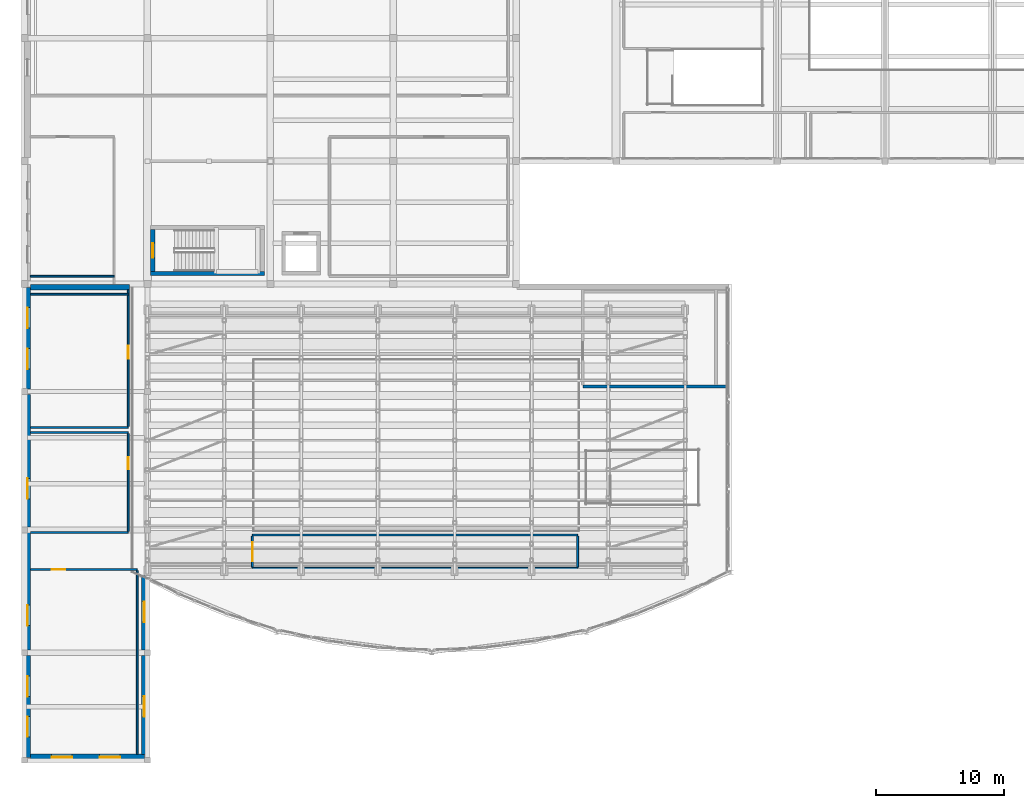
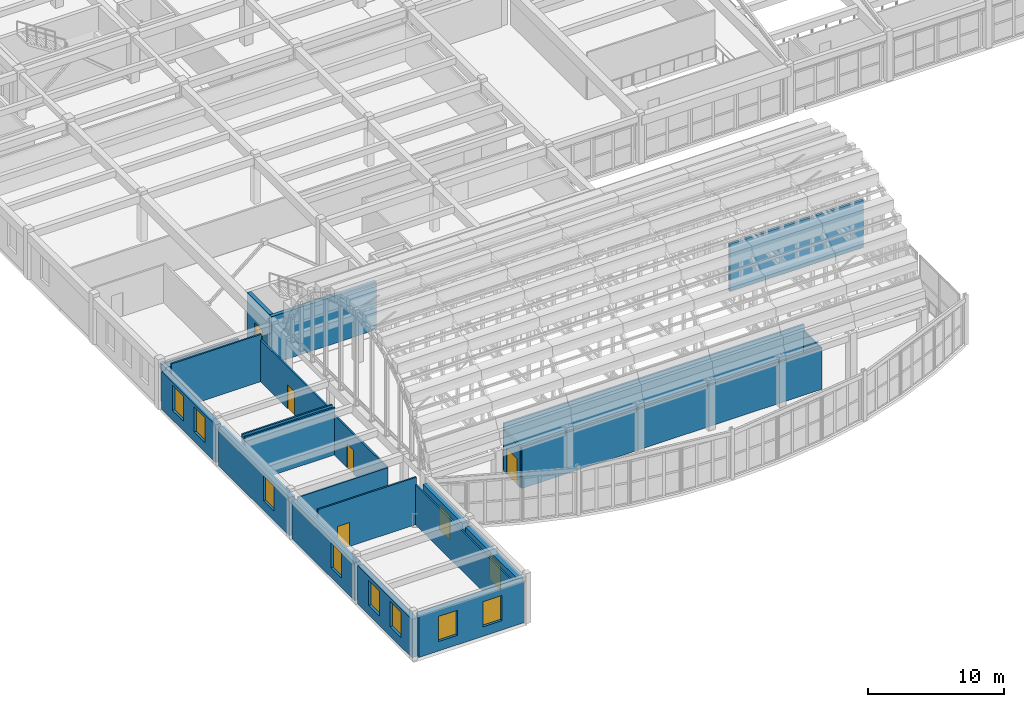
# One storey, part 64 of 91: 24 walls, 10 windows, 5 doors, 15 openings.
"""IFC4 building model written with IfcOpenShell, lengths in metres."""

from ifc_helpers import new_model, si_unit, direction, frame, frame_2d, origin, place, context, subcontext, project, spatial, rectangle, extrude, material, layer, layer_set, type_object, element, fill, save


model = new_model("IFC4")

# Units and contexts
model_context = context("Model", 3, precision=1e-05, world=origin(), true_north=direction((0.0, 1.0)))
body_context = subcontext(model_context, "Body", "Model", "MODEL_VIEW")
ifc_project = project(units=[si_unit("LENGTHUNIT", "METRE"), si_unit("AREAUNIT", "SQUARE_METRE"), si_unit("VOLUMEUNIT", "CUBIC_METRE"), si_unit("PLANEANGLEUNIT", "RADIAN"), si_unit("MASSUNIT", "GRAM", prefix="KILO")], contexts=[model_context])

# Site, building, storey
site_placement = place(None, origin())
site = spatial("IfcSite", under=ifc_project, at=site_placement, CompositionType="ELEMENT")
building_placement = place(site_placement, origin())
building = spatial("IfcBuilding", under=site, at=building_placement, Name="Tarnavel Promenade Courthouse", CompositionType="ELEMENT")
storey_placement = place(building_placement, frame((0.0, 0.0, 9.89990234375)))
storey = spatial("IfcBuildingStorey", under=building, at=storey_placement, Name="L03", CompositionType="ELEMENT", Elevation=9.89990234375)

# Walls
ifc_material_1 = material(Name="Acoustic Insulated Gypsum Stud Partition", Category="gypsum")
ifc_layer_1 = layer(ifc_material_1, 0.14990234375)
ifc_layer_set_1 = layer_set([ifc_layer_1], Name="Acoustic Insulated Gypsum Stud Partition")
wall_type_1 = type_object("IfcWallType", Name="Acoustic Insulated Gypsum Stud Partition WL-LIB-150 (150 mm)", PredefinedType="PARTITIONING", material=ifc_layer_set_1)
wall_1_placement = place(storey_placement, frame((17.800048828125, 17.60009765625, 0.0), z_axis=(0.0, 0.0, 1.0), x_axis=(1.0, 0.0, 0.0)))
element("IfcWall", 1, at=wall_1_placement, inside=storey, type_object=wall_type_1, Name="L03 Upper Balcony Promenade Lookout Reading Gallery Partition 0466", PredefinedType="PARTITIONING", context=body_context, shape_type="SweptSolid", body=[
    extrude(rectangle(XDim=25.39990234375, YDim=0.14990234375, at=frame_2d((12.699951171875, 0.0))), origin(), (0.0, 0.0, 1.0), 4.235107421875),
])
wall_2_placement = place(storey_placement, frame((43.199951171875, 15.0, 0.0), z_axis=(0.0, 0.0, 1.0), x_axis=(-1.0, 0.0, 0.0)))
element("IfcWall", 2, at=wall_2_placement, inside=storey, type_object=wall_type_1, Name="L03 Upper Balcony Promenade Lookout Reading Gallery Partition 0467", PredefinedType="PARTITIONING", context=body_context, shape_type="SweptSolid", body=[
    extrude(rectangle(XDim=25.39990234375, YDim=0.14990234375, at=frame_2d((12.699951171875, 0.0))), origin(), (0.0, 0.0, 1.0), 3.68017578125),
])

# Wall, opening, door
wall_3_placement = place(storey_placement, frame((17.800048828125, 15.0849609375, 0.0), z_axis=(0.0, 0.0, 1.0), x_axis=(0.0, 1.0, 0.0)))
wall_3 = element("IfcWall", 3, at=wall_3_placement, inside=storey, type_object=wall_type_1, Name="L03 Upper Balcony Promenade Lookout Reading Gallery Partition 0468", PredefinedType="PARTITIONING", context=body_context, shape_type="SweptSolid", body=[
    extrude(rectangle(XDim=2.429931640625, YDim=0.14990234375, at=frame_2d((1.21484375, 0.0))), origin(), (0.0, 0.0, 1.0), 3.68017578125),
])
opening_1_placement = place(wall_3_placement, frame((0.465087890625, 0.0, 0.0)))
opening_1 = element("IfcOpeningElement", 4, at=opening_1_placement, cuts=wall_3, Name="Opening ID-05", PredefinedType="OPENING", context=body_context, shape_type="SweptSolid", body=[
    extrude(rectangle(XDim=1.5, YDim=2.35009765625, at=frame_2d((0.75, 1.175048828125))), frame((0.0, 0.0849609375, 0.0), z_axis=(0.0, -1.0, 0.0), x_axis=(1.0, 0.0, 0.0)), (0.0, 0.0, 1.0), 0.169921875),
])
ifc_material_2 = material(Name="Glazed Oak Law Library Double Door")
door_type_1 = type_object("IfcDoorType", Name="Glazed Oak Law Library Double Door (DR-LIB-1500x2350)", OperationType="NOTDEFINED", PredefinedType="DOOR", material=ifc_material_2)
door_1_placement = place(opening_1_placement, origin())
door_1 = element("IfcDoor", 5, at=door_1_placement, inside=storey, type_object=door_type_1, Name="L03 Upper Balcony Promenade Lookout Reading Gallery Door 0133", OperationType="DOUBLE_DOOR_SINGLE_SWING", OverallHeight=2.35009765625, OverallWidth=1.5, PredefinedType="DOOR", context=body_context, shape_type="SweptSolid", body=[
    extrude(rectangle(XDim=1.5, YDim=2.35009765625, at=frame_2d((0.75, 1.175048828125))), frame((0.0, 0.02490234375, 0.0), z_axis=(0.0, -1.0, 0.0), x_axis=(1.0, 0.0, 0.0)), (0.0, 0.0, 1.0), 0.050048828125),
])
fill(opening_1, door_1)

# Walls
wall_4_placement = place(storey_placement, frame((43.199951171875, 17.514892578125, 0.0), z_axis=(0.0, 0.0, 1.0), x_axis=(0.0, -1.0, 0.0)))
element("IfcWall", 6, at=wall_4_placement, inside=storey, type_object=wall_type_1, Name="L03 Upper Balcony Promenade Lookout Reading Gallery Partition 0469", PredefinedType="PARTITIONING", context=body_context, shape_type="SweptSolid", body=[
    extrude(rectangle(XDim=2.429931640625, YDim=0.14990234375, at=frame_2d((1.21484375, 0.0))), origin(), (0.0, 0.0, 1.0), 3.68017578125),
])
ifc_material_3 = material(Name="Concrete C40/50", Category="concrete")
ifc_layer_2 = layer(ifc_material_3, 0.320068359375)
ifc_layer_set_2 = layer_set([ifc_layer_2], Name="Concrete C40/50")
wall_type_2 = type_object("IfcWallType", Name="Concrete C40/50 WL-SHR-320 (320 mm)", PredefinedType="SHEAR", material=ifc_layer_set_2)
wall_5_placement = place(storey_placement, frame((18.739990234375, 38.02001953125, 0.0), z_axis=(0.0, 0.0, 1.0), x_axis=(-1.0, 0.0, 0.0)))
element("IfcWall", 7, at=wall_5_placement, inside=storey, type_object=wall_type_2, Name="L03 ST-05 Shear Core South Wall", PredefinedType="SHEAR", context=body_context, shape_type="SweptSolid", body=[
    extrude(rectangle(XDim=8.8798828125, YDim=0.320068359375, at=frame_2d((4.43994140625, 0.0))), origin(), (0.0, 0.0, 1.0), 4.25),
])

# Wall, opening, door
wall_6_placement = place(storey_placement, frame((10.02001953125, 38.179931640625, 0.0), z_axis=(0.0, 0.0, 1.0), x_axis=(0.0, 1.0, 0.0)))
wall_6 = element("IfcWall", 8, at=wall_6_placement, inside=storey, type_object=wall_type_2, Name="L03 ST-05 Shear Core West Landing Wall", PredefinedType="SHEAR", context=body_context, shape_type="SweptSolid", body=[
    extrude(rectangle(XDim=3.280029296875, YDim=0.320068359375, at=frame_2d((1.64013671875, 0.0))), origin(), (0.0, 0.0, 1.0), 4.25),
])
opening_2_placement = place(wall_6_placement, frame((1.06494140625, 0.0, 0.0)))
opening_2 = element("IfcOpeningElement", 9, at=opening_2_placement, cuts=wall_6, Name="Opening FD-01", PredefinedType="OPENING", context=body_context, shape_type="SweptSolid", body=[
    extrude(rectangle(XDim=1.14990234375, YDim=2.199951171875, at=frame_2d((0.574951171875, 1.10009765625))), frame((0.0, 0.169921875, 0.0), z_axis=(0.0, -1.0, 0.0), x_axis=(1.0, 0.0, 0.0)), (0.0, 0.0, 1.0), 0.340087890625),
])
ifc_material_4 = material(Name="Steel Fire-Rated Stair Core Door", Category="steel")
door_type_2 = type_object("IfcDoorType", Name="Steel Fire-Rated Stair Core Door (DR-ST-1150x2200)", OperationType="NOTDEFINED", PredefinedType="DOOR", material=ifc_material_4)
door_2_placement = place(opening_2_placement, origin())
door_2 = element("IfcDoor", 10, at=door_2_placement, inside=storey, type_object=door_type_2, Name="L03 ST-05 Protected Exit Stair Door", OperationType="SINGLE_SWING_RIGHT", OverallHeight=2.199951171875, OverallWidth=1.14990234375, PredefinedType="DOOR", context=body_context, shape_type="SweptSolid", body=[
    extrude(rectangle(XDim=1.14990234375, YDim=2.199951171875, at=frame_2d((0.574951171875, 1.10009765625))), frame((0.0, 0.02490234375, 0.0), z_axis=(0.0, -1.0, 0.0), x_axis=(1.0, 0.0, 0.0)), (0.0, 0.0, 1.0), 0.050048828125),
])
fill(opening_2, door_2)

# Walls
ifc_material_5 = material(Name="Concrete Masonry Fire Compartment Wall", Category="masonry")
ifc_layer_3 = layer(ifc_material_5, 0.205078125)
ifc_layer_set_3 = layer_set([ifc_layer_3], Name="Concrete Masonry Fire Compartment Wall")
wall_type_3 = type_object("IfcWallType", Name="Concrete Masonry Fire Compartment Wall WL-CMP-205 (205 mm)", PredefinedType="STANDARD", material=ifc_layer_set_3)
wall_7_placement = place(storey_placement, frame((54.889892578125, 29.199951171875, 0.0), z_axis=(0.0, 0.0, 1.0), x_axis=(-1.0, 0.0, 0.0)))
element("IfcWall", 11, at=wall_7_placement, inside=storey, type_object=wall_type_3, Name="L03 Upper Balcony Judicial Archives Reference Room Partition 0463", PredefinedType="STANDARD", context=body_context, shape_type="SweptSolid", body=[
    extrude(rectangle(XDim=11.289794921875, YDim=0.205078125, at=frame_2d((5.64501953125, 0.0))), origin(), (0.0, 0.0, 1.0), 4.235107421875),
])
ifc_material_6 = material(Name="Limestone Ashlar Faced Insulated Brick Masonry", Category="masonry")
ifc_layer_4 = layer(ifc_material_6, 0.43994140625)
ifc_layer_set_4 = layer_set([ifc_layer_4], Name="Limestone Ashlar Faced Insulated Brick Masonry")
wall_type_4 = type_object("IfcWallType", Name="Limestone Ashlar Faced Insulated Brick Masonry WL-EXT-440 (440 mm)", PredefinedType="STANDARD", material=ifc_layer_set_4)
wall_8_placement = place(storey_placement, frame((0.471923828125, 36.9599609375, 0.0), z_axis=(0.0, 0.0, 1.0), x_axis=(1.0, 0.0, 0.0)))
element("IfcWall", 12, at=wall_8_placement, inside=storey, type_object=wall_type_4, Name="L03 Portal Pavilion North Stone Wall 0380", PredefinedType="STANDARD", context=body_context, shape_type="SweptSolid", body=[
    extrude(rectangle(XDim=7.72802734375, YDim=0.43994140625, at=frame_2d((3.864013671875, 0.0))), origin(), (0.0, 0.0, 1.0), 3.380126953125),
])

# Wall, openings, windows
ifc_layer_5 = layer(ifc_material_6, 0.47998046875)
ifc_layer_set_5 = layer_set([ifc_layer_5], Name="Limestone Ashlar Faced Insulated Brick Masonry")
wall_type_5 = type_object("IfcWallType", Name="Limestone Ashlar Faced Insulated Brick Masonry WL-EXT-480 (480 mm)", PredefinedType="STANDARD", material=ifc_layer_set_5)
wall_9_placement = place(storey_placement, frame((0.239990234375, 0.217041015625, 0.0), z_axis=(0.0, 0.0, 1.0), x_axis=(0.0, 1.0, 0.0)))
wall_9 = element("IfcWall", 13, at=wall_9_placement, inside=storey, type_object=wall_type_5, Name="L03 Portal Pavilion West Stone Wall 0373", PredefinedType="STANDARD", context=body_context, shape_type="SweptSolid", body=[
    extrude(rectangle(XDim=7.966064453125, YDim=0.47998046875, at=frame_2d((3.98291015625, 0.0))), origin(), (0.0, 0.0, 1.0), 3.43017578125),
])
opening_3_placement = place(wall_9_placement, frame((1.60791015625, 0.0, 0.85009765625)))
opening_3 = element("IfcOpeningElement", 14, at=opening_3_placement, cuts=wall_9, Name="Opening W-10", PredefinedType="OPENING", context=body_context, shape_type="SweptSolid", body=[
    extrude(rectangle(XDim=1.60009765625, YDim=2.25, at=frame_2d((0.800048828125, 1.125))), frame((0.0, 0.25, 0.0), z_axis=(0.0, -1.0, 0.0), x_axis=(1.0, 0.0, 0.0)), (0.0, 0.0, 1.0), 0.5),
])
opening_4_placement = place(wall_9_placement, frame((4.758056640625, 0.0, 0.85009765625)))
opening_4 = element("IfcOpeningElement", 15, at=opening_4_placement, cuts=wall_9, Name="Opening W-10", PredefinedType="OPENING", context=body_context, shape_type="SweptSolid", body=[
    extrude(rectangle(XDim=1.60009765625, YDim=2.25, at=frame_2d((0.800048828125, 1.125))), frame((0.0, 0.25, 0.0), z_axis=(0.0, -1.0, 0.0), x_axis=(1.0, 0.0, 0.0)), (0.0, 0.0, 1.0), 0.5),
])
ifc_material_7 = material(Name="Triple Low-E Glazed Bronze-Clad Window Assembly")
window_type = type_object("IfcWindowType", Name="Triple-Glazed Bronze-Clad Timber-Aluminium WIN-PAV-1600x2250", PartitioningType="SINGLE_PANEL", PredefinedType="WINDOW", material=ifc_material_7)
window_1_placement = place(opening_3_placement, origin())
window_1 = element("IfcWindow", 16, at=window_1_placement, inside=storey, type_object=window_type, Name="L03 Exterior Window 0448", OverallHeight=2.25, OverallWidth=1.60009765625, PartitioningType="SINGLE_PANEL", PredefinedType="WINDOW", context=body_context, shape_type="SweptSolid", body=[
    extrude(rectangle(XDim=1.60009765625, YDim=2.25, at=frame_2d((0.800048828125, 1.125))), frame((0.0, 0.030029296875, 0.0), z_axis=(0.0, -1.0, 0.0), x_axis=(1.0, 0.0, 0.0)), (0.0, 0.0, 1.0), 0.06005859375),
])
fill(opening_3, window_1)
window_2_placement = place(opening_4_placement, origin())
window_2 = element("IfcWindow", 17, at=window_2_placement, inside=storey, type_object=window_type, Name="L03 Exterior Window 0449", OverallHeight=2.25, OverallWidth=1.60009765625, PartitioningType="SINGLE_PANEL", PredefinedType="WINDOW", context=body_context, shape_type="SweptSolid", body=[
    extrude(rectangle(XDim=1.60009765625, YDim=2.25, at=frame_2d((0.800048828125, 1.125))), frame((0.0, 0.030029296875, 0.0), z_axis=(0.0, -1.0, 0.0), x_axis=(1.0, 0.0, 0.0)), (0.0, 0.0, 1.0), 0.06005859375),
])
fill(opening_4, window_2)

# Wall, opening, window
wall_10_placement = place(storey_placement, frame((0.239990234375, 8.616943359375, 0.0), z_axis=(0.0, 0.0, 1.0), x_axis=(0.0, 1.0, 0.0)))
wall_10 = element("IfcWall", 18, at=wall_10_placement, inside=storey, type_object=wall_type_5, Name="L03 Portal Pavilion West Stone Wall 0374", PredefinedType="STANDARD", context=body_context, shape_type="SweptSolid", body=[
    extrude(rectangle(XDim=9.166015625, YDim=0.47998046875, at=frame_2d((4.5830078125, 0.0))), origin(), (0.0, 0.0, 1.0), 3.43017578125),
])
opening_5_placement = place(wall_10_placement, frame((1.907958984375, 0.0, 0.85009765625)))
opening_5 = element("IfcOpeningElement", 19, at=opening_5_placement, cuts=wall_10, Name="Opening W-10", PredefinedType="OPENING", context=body_context, shape_type="SweptSolid", body=[
    extrude(rectangle(XDim=1.60009765625, YDim=2.25, at=frame_2d((0.800048828125, 1.125))), frame((0.0, 0.25, 0.0), z_axis=(0.0, -1.0, 0.0), x_axis=(1.0, 0.0, 0.0)), (0.0, 0.0, 1.0), 0.5),
])
window_3_placement = place(opening_5_placement, origin())
window_3 = element("IfcWindow", 20, at=window_3_placement, inside=storey, type_object=window_type, Name="L03 Exterior Window 0450", OverallHeight=2.25, OverallWidth=1.60009765625, PartitioningType="SINGLE_PANEL", PredefinedType="WINDOW", context=body_context, shape_type="SweptSolid", body=[
    extrude(rectangle(XDim=1.60009765625, YDim=2.25, at=frame_2d((0.800048828125, 1.125))), frame((0.0, 0.030029296875, 0.0), z_axis=(0.0, -1.0, 0.0), x_axis=(1.0, 0.0, 0.0)), (0.0, 0.0, 1.0), 0.06005859375),
])
fill(opening_5, window_3)

wall_11_placement = place(storey_placement, frame((0.239990234375, 18.217041015625, 0.0), z_axis=(0.0, 0.0, 1.0), x_axis=(0.0, 1.0, 0.0)))
wall_11 = element("IfcWall", 21, at=wall_11_placement, inside=storey, type_object=wall_type_5, Name="L03 Portal Pavilion West Stone Wall 0375", PredefinedType="STANDARD", context=body_context, shape_type="SweptSolid", body=[
    extrude(rectangle(XDim=10.365966796875, YDim=0.47998046875, at=frame_2d((5.18310546875, 0.0))), origin(), (0.0, 0.0, 1.0), 3.43017578125),
])
opening_6_placement = place(wall_11_placement, frame((2.2080078125, 0.0, 0.85009765625)))
opening_6 = element("IfcOpeningElement", 22, at=opening_6_placement, cuts=wall_11, Name="Opening W-10", PredefinedType="OPENING", context=body_context, shape_type="SweptSolid", body=[
    extrude(rectangle(XDim=1.60009765625, YDim=2.25, at=frame_2d((0.800048828125, 1.125))), frame((0.0, 0.25, 0.0), z_axis=(0.0, -1.0, 0.0), x_axis=(1.0, 0.0, 0.0)), (0.0, 0.0, 1.0), 0.5),
])
window_4_placement = place(opening_6_placement, origin())
window_4 = element("IfcWindow", 23, at=window_4_placement, inside=storey, type_object=window_type, Name="L03 Exterior Window 0451", OverallHeight=2.25, OverallWidth=1.60009765625, PartitioningType="SINGLE_PANEL", PredefinedType="WINDOW", context=body_context, shape_type="SweptSolid", body=[
    extrude(rectangle(XDim=1.60009765625, YDim=2.25, at=frame_2d((0.800048828125, 1.125))), frame((0.0, 0.030029296875, 0.0), z_axis=(0.0, -1.0, 0.0), x_axis=(1.0, 0.0, 0.0)), (0.0, 0.0, 1.0), 0.06005859375),
])
fill(opening_6, window_4)

# Wall, openings, windows
wall_12_placement = place(storey_placement, frame((0.239990234375, 29.01708984375, 0.0), z_axis=(0.0, 0.0, 1.0), x_axis=(0.0, 1.0, 0.0)))
wall_12 = element("IfcWall", 24, at=wall_12_placement, inside=storey, type_object=wall_type_5, Name="L03 Portal Pavilion West Stone Wall 0376", PredefinedType="STANDARD", context=body_context, shape_type="SweptSolid", body=[
    extrude(rectangle(XDim=7.916015625, YDim=0.47998046875, at=frame_2d((3.9580078125, 0.0))), origin(), (0.0, 0.0, 1.0), 3.380126953125),
])
opening_7_placement = place(wall_12_placement, frame((1.532958984375, 0.0, 0.85009765625)))
opening_7 = element("IfcOpeningElement", 25, at=opening_7_placement, cuts=wall_12, Name="Opening W-10", PredefinedType="OPENING", context=body_context, shape_type="SweptSolid", body=[
    extrude(rectangle(XDim=1.60009765625, YDim=2.25, at=frame_2d((0.800048828125, 1.125))), frame((0.0, 0.25, 0.0), z_axis=(0.0, -1.0, 0.0), x_axis=(1.0, 0.0, 0.0)), (0.0, 0.0, 1.0), 0.5),
])
opening_8_placement = place(wall_12_placement, frame((4.73291015625, 0.0, 0.85009765625)))
opening_8 = element("IfcOpeningElement", 26, at=opening_8_placement, cuts=wall_12, Name="Opening W-10", PredefinedType="OPENING", context=body_context, shape_type="SweptSolid", body=[
    extrude(rectangle(XDim=1.60009765625, YDim=2.25, at=frame_2d((0.800048828125, 1.125))), frame((0.0, 0.25, 0.0), z_axis=(0.0, -1.0, 0.0), x_axis=(1.0, 0.0, 0.0)), (0.0, 0.0, 1.0), 0.5),
])
window_5_placement = place(opening_7_placement, origin())
window_5 = element("IfcWindow", 27, at=window_5_placement, inside=storey, type_object=window_type, Name="L03 Exterior Window 0452", OverallHeight=2.25, OverallWidth=1.60009765625, PartitioningType="SINGLE_PANEL", PredefinedType="WINDOW", context=body_context, shape_type="SweptSolid", body=[
    extrude(rectangle(XDim=1.60009765625, YDim=2.25, at=frame_2d((0.800048828125, 1.125))), frame((0.0, 0.030029296875, 0.0), z_axis=(0.0, -1.0, 0.0), x_axis=(1.0, 0.0, 0.0)), (0.0, 0.0, 1.0), 0.06005859375),
])
fill(opening_7, window_5)
window_6_placement = place(opening_8_placement, origin())
window_6 = element("IfcWindow", 28, at=window_6_placement, inside=storey, type_object=window_type, Name="L03 Exterior Window 0453", OverallHeight=2.25, OverallWidth=1.60009765625, PartitioningType="SINGLE_PANEL", PredefinedType="WINDOW", context=body_context, shape_type="SweptSolid", body=[
    extrude(rectangle(XDim=1.60009765625, YDim=2.25, at=frame_2d((0.800048828125, 1.125))), frame((0.0, 0.030029296875, 0.0), z_axis=(0.0, -1.0, 0.0), x_axis=(1.0, 0.0, 0.0)), (0.0, 0.0, 1.0), 0.06005859375),
])
fill(opening_8, window_6)

wall_13_placement = place(storey_placement, frame((9.383056640625, 0.239990234375, 0.0), z_axis=(0.0, 0.0, 1.0), x_axis=(-1.0, 0.0, 0.0)))
wall_13 = element("IfcWall", 29, at=wall_13_placement, inside=storey, type_object=wall_type_5, Name="L03 Portal Pavilion South Stone Wall 0377", PredefinedType="STANDARD", context=body_context, shape_type="SweptSolid", body=[
    extrude(rectangle(XDim=8.9111328125, YDim=0.47998046875, at=frame_2d((4.45556640625, 0.0))), origin(), (0.0, 0.0, 1.0), 3.72998046875),
])
opening_9_placement = place(wall_13_placement, frame((1.907958984375, 0.0, 0.85009765625)))
opening_9 = element("IfcOpeningElement", 30, at=opening_9_placement, cuts=wall_13, Name="Opening W-10", PredefinedType="OPENING", context=body_context, shape_type="SweptSolid", body=[
    extrude(rectangle(XDim=1.60009765625, YDim=2.25, at=frame_2d((0.800048828125, 1.125))), frame((0.0, 0.25, 0.0), z_axis=(0.0, -1.0, 0.0), x_axis=(1.0, 0.0, 0.0)), (0.0, 0.0, 1.0), 0.5),
])
opening_10_placement = place(wall_13_placement, frame((5.657958984375, 0.0, 0.85009765625)))
opening_10 = element("IfcOpeningElement", 31, at=opening_10_placement, cuts=wall_13, Name="Opening W-10", PredefinedType="OPENING", context=body_context, shape_type="SweptSolid", body=[
    extrude(rectangle(XDim=1.60009765625, YDim=2.25, at=frame_2d((0.800048828125, 1.125))), frame((0.0, 0.25, 0.0), z_axis=(0.0, -1.0, 0.0), x_axis=(1.0, 0.0, 0.0)), (0.0, 0.0, 1.0), 0.5),
])
window_7_placement = place(opening_9_placement, origin())
window_7 = element("IfcWindow", 32, at=window_7_placement, inside=storey, type_object=window_type, Name="L03 Exterior Window 0454", OverallHeight=2.25, OverallWidth=1.60009765625, PartitioningType="SINGLE_PANEL", PredefinedType="WINDOW", context=body_context, shape_type="SweptSolid", body=[
    extrude(rectangle(XDim=1.60009765625, YDim=2.25, at=frame_2d((0.800048828125, 1.125))), frame((0.0, 0.030029296875, 0.0), z_axis=(0.0, -1.0, 0.0), x_axis=(1.0, 0.0, 0.0)), (0.0, 0.0, 1.0), 0.06005859375),
])
fill(opening_9, window_7)
window_8_placement = place(opening_10_placement, origin())
window_8 = element("IfcWindow", 33, at=window_8_placement, inside=storey, type_object=window_type, Name="L03 Exterior Window 0455", OverallHeight=2.25, OverallWidth=1.60009765625, PartitioningType="SINGLE_PANEL", PredefinedType="WINDOW", context=body_context, shape_type="SweptSolid", body=[
    extrude(rectangle(XDim=1.60009765625, YDim=2.25, at=frame_2d((0.800048828125, 1.125))), frame((0.0, 0.030029296875, 0.0), z_axis=(0.0, -1.0, 0.0), x_axis=(1.0, 0.0, 0.0)), (0.0, 0.0, 1.0), 0.06005859375),
])
fill(opening_10, window_8)

# Wall, opening, window
wall_14_placement = place(storey_placement, frame((9.360107421875, 8.18310546875, 0.0), z_axis=(0.0, 0.0, 1.0), x_axis=(0.0, -1.0, 0.0)))
wall_14 = element("IfcWall", 34, at=wall_14_placement, inside=storey, type_object=wall_type_5, Name="L03 Portal Pavilion East Forecourt Wall 0378", PredefinedType="STANDARD", context=body_context, shape_type="SweptSolid", body=[
    extrude(rectangle(XDim=7.711181640625, YDim=0.47998046875, at=frame_2d((3.85546875, 0.0))), origin(), (0.0, 0.0, 1.0), 3.68017578125),
])
opening_11_placement = place(wall_14_placement, frame((3.18310546875, 0.0, 0.85009765625)))
opening_11 = element("IfcOpeningElement", 35, at=opening_11_placement, cuts=wall_14, Name="Opening W-10", PredefinedType="OPENING", context=body_context, shape_type="SweptSolid", body=[
    extrude(rectangle(XDim=1.60009765625, YDim=2.25, at=frame_2d((0.800048828125, 1.125))), frame((0.0, 0.25, 0.0), z_axis=(0.0, -1.0, 0.0), x_axis=(1.0, 0.0, 0.0)), (0.0, 0.0, 1.0), 0.5),
])
window_9_placement = place(opening_11_placement, origin())
window_9 = element("IfcWindow", 36, at=window_9_placement, inside=storey, type_object=window_type, Name="L03 Exterior Window 0456", OverallHeight=2.25, OverallWidth=1.60009765625, PartitioningType="SINGLE_PANEL", PredefinedType="WINDOW", context=body_context, shape_type="SweptSolid", body=[
    extrude(rectangle(XDim=1.60009765625, YDim=2.25, at=frame_2d((0.800048828125, 1.125))), frame((0.0, 0.030029296875, 0.0), z_axis=(0.0, -1.0, 0.0), x_axis=(1.0, 0.0, 0.0)), (0.0, 0.0, 1.0), 0.06005859375),
])
fill(opening_11, window_9)

wall_15_placement = place(storey_placement, frame((9.360107421875, 14.43310546875, 0.0), z_axis=(0.0, 0.0, 1.0), x_axis=(0.0, -1.0, 0.0)))
wall_15 = element("IfcWall", 37, at=wall_15_placement, inside=storey, type_object=wall_type_5, Name="L03 Portal Pavilion East Forecourt Wall 0379", PredefinedType="STANDARD", context=body_context, shape_type="SweptSolid", body=[
    extrude(rectangle(XDim=5.816162109375, YDim=0.47998046875, at=frame_2d((2.908203125, 0.0))), origin(), (0.0, 0.0, 1.0), 3.72998046875),
])
opening_12_placement = place(wall_15_placement, frame((2.032958984375, 0.0, 0.85009765625)))
opening_12 = element("IfcOpeningElement", 38, at=opening_12_placement, cuts=wall_15, Name="Opening W-10", PredefinedType="OPENING", context=body_context, shape_type="SweptSolid", body=[
    extrude(rectangle(XDim=1.60009765625, YDim=2.25, at=frame_2d((0.800048828125, 1.125))), frame((0.0, 0.25, 0.0), z_axis=(0.0, -1.0, 0.0), x_axis=(1.0, 0.0, 0.0)), (0.0, 0.0, 1.0), 0.5),
])
window_10_placement = place(opening_12_placement, origin())
window_10 = element("IfcWindow", 39, at=window_10_placement, inside=storey, type_object=window_type, Name="L03 Exterior Window 0457", OverallHeight=2.25, OverallWidth=1.60009765625, PartitioningType="SINGLE_PANEL", PredefinedType="WINDOW", context=body_context, shape_type="SweptSolid", body=[
    extrude(rectangle(XDim=1.60009765625, YDim=2.25, at=frame_2d((0.800048828125, 1.125))), frame((0.0, 0.030029296875, 0.0), z_axis=(0.0, -1.0, 0.0), x_axis=(1.0, 0.0, 0.0)), (0.0, 0.0, 1.0), 0.06005859375),
])
fill(opening_12, window_10)

# Wall
ifc_material_8 = material(Name="Metal-Stud Acoustic Gypsum Partition", Category="gypsum")
ifc_layer_6 = layer(ifc_material_8, 0.135009765625)
ifc_layer_set_6 = layer_set([ifc_layer_6], Name="Metal-Stud Acoustic Gypsum Partition")
wall_type_6 = type_object("IfcWallType", Name="Metal-Stud Acoustic Gypsum Partition WL-OFF-135 (135 mm)", PredefinedType="PARTITIONING", material=ifc_layer_set_6)
wall_16_placement = place(storey_placement, frame((7.0, 37.800048828125, 0.0), z_axis=(0.0, 0.0, 1.0), x_axis=(-1.0, 0.0, 0.0)))
element("IfcWall", 40, at=wall_16_placement, inside=storey, type_object=wall_type_6, Name="L03 L03 Legal Scholars' Study Carrels Partition 0456", PredefinedType="PARTITIONING", context=body_context, shape_type="SweptSolid", body=[
    extrude(rectangle(XDim=6.5458984375, YDim=0.135009765625, at=frame_2d((3.27294921875, 0.0))), origin(), (0.0, 0.0, 1.0), 3.380126953125),
])

# Wall, opening, door
wall_17_placement = place(storey_placement, frame((0.47412109375, 14.89990234375, 0.0), z_axis=(0.0, 0.0, 1.0), x_axis=(1.0, 0.0, 0.0)))
wall_17 = element("IfcWall", 41, at=wall_17_placement, inside=storey, type_object=wall_type_6, Name="L03 Upper Balcony Judicial Protocol and Press Suite Partition 0470", PredefinedType="PARTITIONING", context=body_context, shape_type="SweptSolid", body=[
    extrude(rectangle(XDim=8.325927734375, YDim=0.135009765625, at=frame_2d((4.1630859375, 0.0))), origin(), (0.0, 0.0, 1.0), 4.235107421875),
])
opening_13_placement = place(wall_17_placement, frame((1.671142578125, 0.0, 0.0)))
opening_13 = element("IfcOpeningElement", 42, at=opening_13_placement, cuts=wall_17, Name="Opening ID-07", PredefinedType="OPENING", context=body_context, shape_type="SweptSolid", body=[
    extrude(rectangle(XDim=1.02001953125, YDim=2.14990234375, at=frame_2d((0.510009765625, 1.074951171875))), frame((0.0, 0.077392578125, 0.0), z_axis=(0.0, -1.0, 0.0), x_axis=(1.0, 0.0, 0.0)), (0.0, 0.0, 1.0), 0.155029296875),
])
ifc_material_9 = material(Name="Acoustic Timber Seminar Room Door", Category="wood")
door_type_3 = type_object("IfcDoorType", Name="Acoustic Timber Seminar Room Door (DR-MTG-1020x2150)", OperationType="NOTDEFINED", PredefinedType="DOOR", material=ifc_material_9)
door_3_placement = place(opening_13_placement, origin())
door_3 = element("IfcDoor", 43, at=door_3_placement, inside=storey, type_object=door_type_3, Name="L03 Upper Balcony Judicial Protocol and Press Suite Door 0134", OperationType="SINGLE_SWING_RIGHT", OverallHeight=2.14990234375, OverallWidth=1.02001953125, PredefinedType="DOOR", context=body_context, shape_type="SweptSolid", body=[
    extrude(rectangle(XDim=1.02001953125, YDim=2.14990234375, at=frame_2d((0.510009765625, 1.074951171875))), frame((0.0, 0.02490234375, 0.0), z_axis=(0.0, -1.0, 0.0), x_axis=(1.0, 0.0, 0.0)), (0.0, 0.0, 1.0), 0.050048828125),
])
fill(opening_13, door_3)

# Walls
wall_18_placement = place(storey_placement, frame((8.800048828125, 14.822509765625, 0.0), z_axis=(0.0, 0.0, 1.0), x_axis=(0.0, -1.0, 0.0)))
element("IfcWall", 44, at=wall_18_placement, inside=storey, type_object=wall_type_6, Name="L03 Upper Balcony Judicial Protocol and Press Suite Partition 0471", PredefinedType="PARTITIONING", context=body_context, shape_type="SweptSolid", body=[
    extrude(rectangle(XDim=14.348388671875, YDim=0.135009765625, at=frame_2d((7.17431640625, 0.0))), origin(), (0.0, 0.0, 1.0), 3.580078125),
])
wall_19_placement = place(storey_placement, frame((0.47412109375, 25.60009765625, 0.0), z_axis=(0.0, 0.0, 1.0), x_axis=(1.0, 0.0, 0.0)))
element("IfcWall", 45, at=wall_19_placement, inside=storey, type_object=wall_type_6, Name="L03 Upper Balcony Registry Records Office Partition 0472", PredefinedType="PARTITIONING", context=body_context, shape_type="SweptSolid", body=[
    extrude(rectangle(XDim=7.6259765625, YDim=0.135009765625, at=frame_2d((3.81298828125, 0.0))), origin(), (0.0, 0.0, 1.0), 4.235107421875),
])
wall_20_placement = place(storey_placement, frame((8.10009765625, 17.800048828125, 0.0), z_axis=(0.0, 0.0, 1.0), x_axis=(-1.0, 0.0, 0.0)))
element("IfcWall", 46, at=wall_20_placement, inside=storey, type_object=wall_type_6, Name="L03 Upper Balcony Registry Records Office Partition 0473", PredefinedType="PARTITIONING", context=body_context, shape_type="SweptSolid", body=[
    extrude(rectangle(XDim=7.6259765625, YDim=0.135009765625, at=frame_2d((3.81298828125, 0.0))), origin(), (0.0, 0.0, 1.0), 3.580078125),
])

# Wall, opening, door
wall_21_placement = place(storey_placement, frame((8.10009765625, 25.5224609375, 0.0), z_axis=(0.0, 0.0, 1.0), x_axis=(0.0, -1.0, 0.0)))
wall_21 = element("IfcWall", 47, at=wall_21_placement, inside=storey, type_object=wall_type_6, Name="L03 Upper Balcony Registry Records Office Partition 0474", PredefinedType="PARTITIONING", context=body_context, shape_type="SweptSolid", body=[
    extrude(rectangle(XDim=7.64501953125, YDim=0.135009765625, at=frame_2d((3.822509765625, 0.0))), origin(), (0.0, 0.0, 1.0), 3.580078125),
])
opening_14_placement = place(wall_21_placement, frame((1.8486328125, 0.0, 0.0)))
opening_14 = element("IfcOpeningElement", 48, at=opening_14_placement, cuts=wall_21, Name="Opening ID-06", PredefinedType="OPENING", context=body_context, shape_type="SweptSolid", body=[
    extrude(rectangle(XDim=0.949951171875, YDim=2.14990234375, at=frame_2d((0.47509765625, 1.074951171875))), frame((0.0, 0.077392578125, 0.0), z_axis=(0.0, -1.0, 0.0), x_axis=(1.0, 0.0, 0.0)), (0.0, 0.0, 1.0), 0.155029296875),
])
ifc_material_10 = material(Name="Acoustic Timber Veneer Office Door", Category="wood")
door_type_4 = type_object("IfcDoorType", Name="Acoustic Timber Veneer Office Door (DR-OFF-0950x2150)", OperationType="NOTDEFINED", PredefinedType="DOOR", material=ifc_material_10)
door_4_placement = place(opening_14_placement, origin())
door_4 = element("IfcDoor", 49, at=door_4_placement, inside=storey, type_object=door_type_4, Name="L03 Upper Balcony Registry Records Office Door 0135", OperationType="SINGLE_SWING_LEFT", OverallHeight=2.14990234375, OverallWidth=0.949951171875, PredefinedType="DOOR", context=body_context, shape_type="SweptSolid", body=[
    extrude(rectangle(XDim=0.949951171875, YDim=2.14990234375, at=frame_2d((0.47509765625, 1.074951171875))), frame((0.0, 0.02490234375, 0.0), z_axis=(0.0, -1.0, 0.0), x_axis=(1.0, 0.0, 0.0)), (0.0, 0.0, 1.0), 0.050048828125),
])
fill(opening_14, door_4)

# Walls
for number, where, z_axis, x_axis, name in (
    (50, (0.47412109375, 36.39990234375, 0.0), (0.0, 0.0, 1.0), (1.0, 0.0, 0.0), "L03 Upper Balcony Public Mediation Suite Partition 0475"),
    (51, (8.10009765625, 26.0, 0.0), (0.0, 0.0, 1.0), (-1.0, 0.0, 0.0), "L03 Upper Balcony Public Mediation Suite Partition 0476"),
):
    element("IfcWall", number, at=place(storey_placement, frame(where, z_axis=z_axis, x_axis=x_axis)), inside=storey, type_object=wall_type_6, Name=name, PredefinedType="PARTITIONING", context=body_context, shape_type="SweptSolid", body=[
        extrude(rectangle(XDim=7.6259765625, YDim=0.135009765625, at=frame_2d((3.81298828125, 0.0))), origin(), (0.0, 0.0, 1.0), 4.235107421875),
    ])

# Wall, opening, door
wall_22_placement = place(storey_placement, frame((8.10009765625, 36.74609375, 0.0), z_axis=(0.0, 0.0, 1.0), x_axis=(0.0, -1.0, 0.0)))
wall_22 = element("IfcWall", 52, at=wall_22_placement, inside=storey, type_object=wall_type_6, Name="L03 Upper Balcony Public Mediation Suite Partition 0477", PredefinedType="PARTITIONING", context=body_context, shape_type="SweptSolid", body=[
    extrude(rectangle(XDim=10.668701171875, YDim=0.135009765625, at=frame_2d((5.33447265625, 0.0))), origin(), (0.0, 0.0, 1.0), 3.72998046875),
])
opening_15_placement = place(wall_22_placement, frame((4.376708984375, 0.0, 0.0)))
opening_15 = element("IfcOpeningElement", 53, at=opening_15_placement, cuts=wall_22, Name="Opening ID-07", PredefinedType="OPENING", context=body_context, shape_type="SweptSolid", body=[
    extrude(rectangle(XDim=1.02001953125, YDim=2.14990234375, at=frame_2d((0.510009765625, 1.074951171875))), frame((0.0, 0.077392578125, 0.0), z_axis=(0.0, -1.0, 0.0), x_axis=(1.0, 0.0, 0.0)), (0.0, 0.0, 1.0), 0.155029296875),
])
door_5_placement = place(opening_15_placement, origin())
door_5 = element("IfcDoor", 54, at=door_5_placement, inside=storey, type_object=door_type_3, Name="L03 Upper Balcony Public Mediation Suite Door 0136", OperationType="SINGLE_SWING_RIGHT", OverallHeight=2.14990234375, OverallWidth=1.02001953125, PredefinedType="DOOR", context=body_context, shape_type="SweptSolid", body=[
    extrude(rectangle(XDim=1.02001953125, YDim=2.14990234375, at=frame_2d((0.510009765625, 1.074951171875))), frame((0.0, 0.02490234375, 0.0), z_axis=(0.0, -1.0, 0.0), x_axis=(1.0, 0.0, 0.0)), (0.0, 0.0, 1.0), 0.050048828125),
])
fill(opening_15, door_5)

save(model, "model.ifc")
